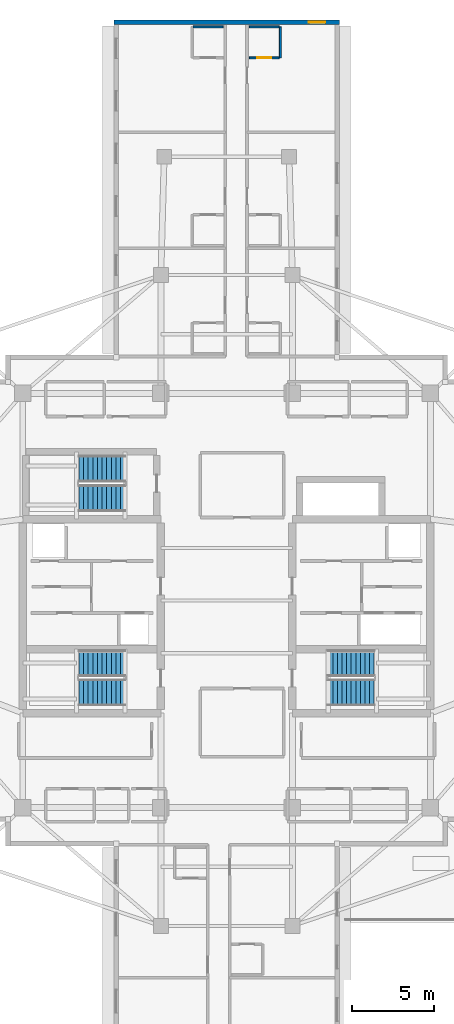
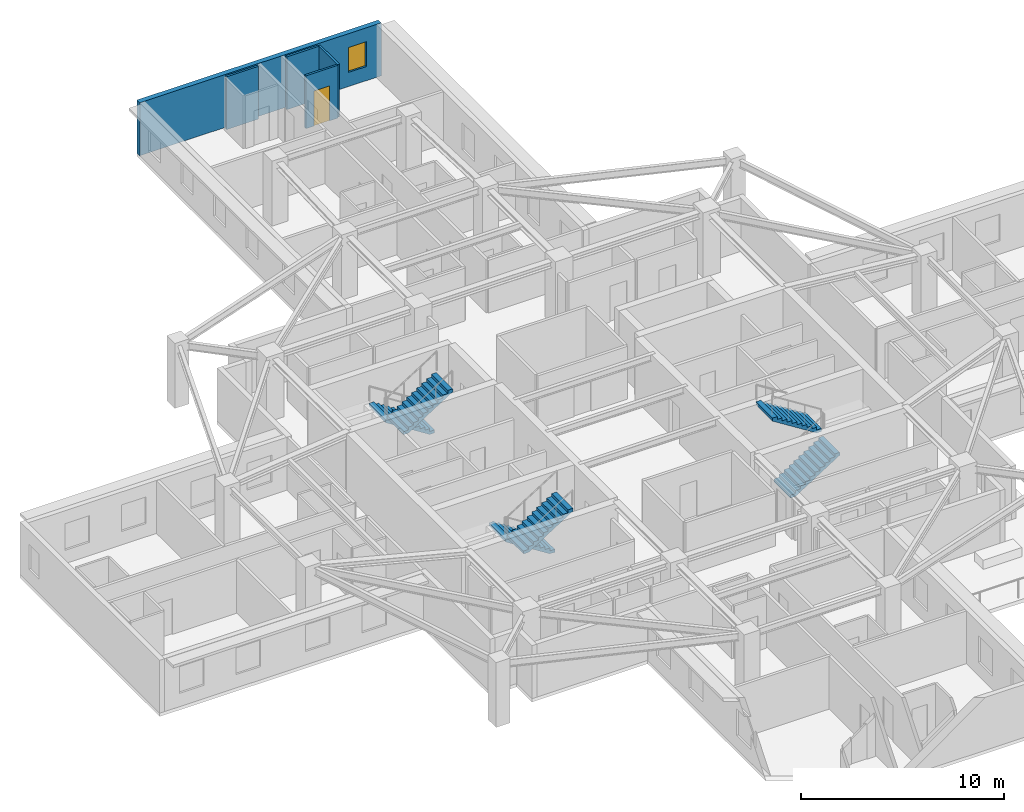
# One storey, part 9 of 13: 6 stair flights, 5 walls, 1 door, 1 window, 2 openings, 3 elements without a shape of their own.
"""IFC4 building model written with IfcOpenShell, lengths in metres."""

from ifc_helpers import new_model, si_unit, direction, frame, frame_2d, origin, place, context, subcontext, project, spatial, polyline, rectangle, outline, extrude, material, layer, layer_set, type_object, element, fill, aggregate, save


model = new_model("IFC4")

# Units and contexts
model_context = context("Model", 3, precision=1e-05, world=origin(), true_north=direction((0.0, 1.0)))
body_context = subcontext(model_context, "Body", "Model", "MODEL_VIEW")
ifc_project = project(units=[si_unit("LENGTHUNIT", "METRE"), si_unit("AREAUNIT", "SQUARE_METRE"), si_unit("VOLUMEUNIT", "CUBIC_METRE"), si_unit("PLANEANGLEUNIT", "RADIAN"), si_unit("MASSUNIT", "GRAM", prefix="KILO")], contexts=[model_context])

# Site, building, storey
site_placement = place(None, origin())
site = spatial("IfcSite", under=ifc_project, at=site_placement, CompositionType="ELEMENT")
building_placement = place(site_placement, origin())
building = spatial("IfcBuilding", under=site, at=building_placement, Name="Qingluan Cross Belvedere", CompositionType="ELEMENT")
storey_placement = place(building_placement, frame((0.0, 0.0, 224.699951171875)))
storey = spatial("IfcBuildingStorey", under=building, at=storey_placement, Name="L56", CompositionType="ELEMENT", Elevation=224.699951171875)

# Wall, opening, door
ifc_material_1 = material(Name="Moisture-resistant gypsum board lining")
ifc_layer_1 = layer(ifc_material_1, 0.1201171875, Name="EnsuiteWetPartition_120")
ifc_layer_set_1 = layer_set([ifc_layer_1], Name="Moisture-resistant gypsum board lining")
wall_type_1 = type_object("IfcWallType", Name="EnsuiteWetPartition_120", PredefinedType="PARTITIONING", material=ifc_layer_set_1)
wall_1_placement = place(storey_placement, frame((1.3798828125, 33.02001953125, 0.0), z_axis=(0.0, 0.0, 1.0), x_axis=(1.0, 0.0, 0.0)))
wall_1 = element("IfcWall", 1, at=wall_1_placement, inside=storey, type_object=wall_type_1, Name="Partition L56:N:bs0_2", PredefinedType="PARTITIONING", context=body_context, shape_type="SweptSolid", body=[
    extrude(rectangle(XDim=1.820068359375, YDim=0.1201171875, at=frame_2d((0.91015625, 0.0))), origin(), (0.0, 0.0, 1.0), 3.170166015625),
])
opening_1_placement = place(wall_1_placement, frame((0.469970703125, 0.0, 0.0)))
opening_1 = element("IfcOpeningElement", 2, at=opening_1_placement, cuts=wall_1, Name="Opening BD-09", PredefinedType="OPENING", context=body_context, shape_type="SweptSolid", body=[
    extrude(rectangle(XDim=0.8798828125, YDim=2.10009765625, at=frame_2d((0.43994140625, 1.050048828125))), frame((0.0, 0.070068359375, 0.0), z_axis=(0.0, -1.0, 0.0), x_axis=(1.0, 0.0, 0.0)), (0.0, 0.0, 1.0), 0.14013671875),
])
ifc_material_2 = material(Name="Moisture-sealed timber en-suite door", Category="wood")
door_type = type_object("IfcDoorType", Name="BathroomDoor_880", OperationType="NOTDEFINED", PredefinedType="DOOR", material=ifc_material_2)
door_placement = place(opening_1_placement, origin())
door = element("IfcDoor", 3, at=door_placement, inside=storey, type_object=door_type, Name="Bathroom door 5611", OperationType="SINGLE_SWING_RIGHT", OverallHeight=2.10009765625, OverallWidth=0.8798828125, PredefinedType="DOOR", context=body_context, shape_type="SweptSolid", body=[
    extrude(rectangle(XDim=0.8798828125, YDim=2.10009765625, at=frame_2d((0.43994140625, 1.050048828125))), frame((0.0, 0.02490234375, 0.0), z_axis=(0.0, -1.0, 0.0), x_axis=(1.0, 0.0, 0.0)), (0.0, 0.0, 1.0), 0.050048828125),
])
fill(opening_1, door)

# Walls
wall_2_placement = place(storey_placement, frame((1.3798828125, 34.89990234375, 0.0), z_axis=(0.0, 0.0, 1.0), x_axis=(1.0, 0.0, 0.0)))
element("IfcWall", 4, at=wall_2_placement, inside=storey, type_object=wall_type_1, Name="Partition L56:N:bw0_2", PredefinedType="PARTITIONING", context=body_context, shape_type="SweptSolid", body=[
    extrude(rectangle(XDim=1.820068359375, YDim=0.1201171875, at=frame_2d((0.91015625, 0.0))), origin(), (0.0, 0.0, 1.0), 3.170166015625),
])
wall_3_placement = place(storey_placement, frame((3.264892578125, 33.02001953125, 0.0), z_axis=(0.0, 0.0, 1.0), x_axis=(0.0, 1.0, 0.0)))
element("IfcWall", 5, at=wall_3_placement, inside=storey, type_object=wall_type_1, Name="Partition L56:N:bn0_2", PredefinedType="PARTITIONING", context=body_context, shape_type="SweptSolid", body=[
    extrude(rectangle(XDim=1.8798828125, YDim=0.1201171875, at=frame_2d((0.93994140625, 0.0))), origin(), (0.0, 0.0, 1.0), 3.170166015625),
])
wall_4_placement = place(storey_placement, frame((-2.0400390625, 34.89990234375, 0.0), z_axis=(0.0, 0.0, 1.0), x_axis=(1.0, 0.0, 0.0)))
element("IfcWall", 6, at=wall_4_placement, inside=storey, type_object=wall_type_1, Name="Partition L56:N:bw1_2", PredefinedType="PARTITIONING", context=body_context, shape_type="SweptSolid", body=[
    extrude(rectangle(XDim=1.820068359375, YDim=0.1201171875, at=frame_2d((0.91015625, 0.0))), origin(), (0.0, 0.0, 1.0), 3.170166015625),
])

# Wall, opening, window
ifc_material_3 = material(Name="Precast concrete C45", Category="concrete")
ifc_layer_2 = layer(ifc_material_3, 0.280029296875, Name="PrecastFacadeWall_280")
ifc_layer_set_2 = layer_set([ifc_layer_2], Name="Precast concrete C45")
wall_type_2 = type_object("IfcWallType", Name="PrecastFacadeWall_280", PredefinedType="STANDARD", material=ifc_layer_set_2)
wall_5_placement = place(storey_placement, frame((6.860107421875, 35.179931640625, 0.0), z_axis=(0.0, 0.0, 1.0), x_axis=(-1.0, 0.0, 0.0)))
wall_5 = element("IfcWall", 7, at=wall_5_placement, inside=storey, type_object=wall_type_2, Name="Arm tip precast facade wall L56-N", PredefinedType="STANDARD", context=body_context, shape_type="SweptSolid", body=[
    extrude(rectangle(XDim=13.72021484375, YDim=0.280029296875, at=frame_2d((6.860107421875, 0.0))), origin(), (0.0, 0.0, 1.0), 3.179931640625),
])
opening_2_placement = place(wall_5_placement, frame((0.85009765625, 0.0, 0.85009765625)))
opening_2 = element("IfcOpeningElement", 8, at=opening_2_placement, cuts=wall_5, Name="Opening W-03", PredefinedType="OPENING", context=body_context, shape_type="SweptSolid", body=[
    extrude(rectangle(XDim=1.0, YDim=1.5, at=frame_2d((0.5, 0.75))), frame((0.0, 0.14990234375, 0.0), z_axis=(0.0, -1.0, 0.0), x_axis=(1.0, 0.0, 0.0)), (0.0, 0.0, 1.0), 0.300048828125),
])
ifc_material_4 = material(Name="Thermally broken triple Low-E glass in aluminium frame", Category="aluminium")
window_type = type_object("IfcWindowType", Name="TriApexWin_1000x1500", PartitioningType="SINGLE_PANEL", PredefinedType="WINDOW", material=ifc_material_4)
window_placement = place(opening_2_placement, origin())
window = element("IfcWindow", 9, at=window_placement, inside=storey, type_object=window_type, Name="Arm tip triangular window L56-N", OverallHeight=1.5, OverallWidth=1.0, PartitioningType="SINGLE_PANEL", PredefinedType="WINDOW", context=body_context, shape_type="SweptSolid", body=[
    extrude(rectangle(XDim=1.0, YDim=1.5, at=frame_2d((0.5, 0.75))), frame((0.0, 0.030029296875, 0.0), z_axis=(0.0, -1.0, 0.0), x_axis=(1.0, 0.0, 0.0)), (0.0, 0.0, 1.0), 0.06005859375),
])
fill(opening_2, window)

# Stair, stair flights
ifc_material_5 = material(Name="Concrete C40", Category="concrete")
stair_type = type_object("IfcStairType", Name="CoreDoglegStair_1620", PredefinedType="HALF_TURN_STAIR", material=ifc_material_5)
stair_1_placement = place(storey_placement, origin())
stair_1 = element("IfcStair", 10, at=stair_1_placement, inside=storey, type_object=stair_type, Name="L56 ST1", PredefinedType="HALF_TURN_STAIR")
ifc_material_6 = material(Name="Concrete C40", Category="concrete")
ifc_layer_3 = layer(ifc_material_6, 0.179931640625, Name="StairFlight_RC180")
ifc_layer_set_3 = layer_set([ifc_layer_3], Name="Concrete C40")
stair_flight_type = type_object("IfcStairFlightType", Name="StairFlight_RC180", PredefinedType="STRAIGHT", material=ifc_layer_set_3)
stair_flight_1_placement = place(storey_placement, frame((-6.179931640625, -3.81005859375, 0.0), z_axis=(0.0, 0.0, 1.0), x_axis=(-1.0, 0.0, 0.0)))
stair_flight_1 = element("IfcStairFlight", 11, at=stair_flight_1_placement, type_object=stair_flight_type, Name="ST1 flight 1", NumberOfRisers=11, NumberOfTreads=10, PredefinedType="STRAIGHT", RiserHeight=0.177272727, TreadLength=0.28, context=body_context, shape_type="SweptSolid", body=[
    extrude(outline(polyline([(0.0, 0.0), (0.0, 0.17724609375), (0.280029296875, 0.17724609375), (0.280029296875, 0.3544921875), (0.56005859375, 0.3544921875), (0.56005859375, 0.53173828125), (0.840087890625, 0.53173828125), (0.840087890625, 0.708984375), (1.1201171875, 0.708984375), (1.1201171875, 0.886474609375), (1.39990234375, 0.886474609375), (1.39990234375, 1.063720703125), (1.679931640625, 1.063720703125), (1.679931640625, 1.240966796875), (1.9599609375, 1.240966796875), (1.9599609375, 1.418212890625), (2.239990234375, 1.418212890625), (2.239990234375, 1.595458984375), (2.52001953125, 1.595458984375), (2.52001953125, 1.772705078125), (2.800048828125, 1.772705078125), (2.800048828125, 1.949951171875), (2.800048828125, 1.59521484375), (0.2802734375, 0.0), (0.0, 0.0)])), frame((0.0, 0.81005859375, 0.0), z_axis=(0.0, -1.0, 0.0), x_axis=(1.0, 0.0, 0.0)), (0.0, 0.0, 1.0), 1.6201171875),
])
stair_flight_2_placement = place(storey_placement, frame((-8.97998046875, -5.590087890625, 1.949951171875), z_axis=(0.0, 0.0, 1.0), x_axis=(1.0, 0.0, 0.0)))
stair_flight_2 = element("IfcStairFlight", 12, at=stair_flight_2_placement, type_object=stair_flight_type, Name="ST1 flight 2", NumberOfRisers=11, NumberOfTreads=10, PredefinedType="STRAIGHT", RiserHeight=0.177272727, TreadLength=0.28, context=body_context, shape_type="SweptSolid", body=[
    extrude(outline(polyline([(0.0, 0.0), (0.0, 0.17724609375), (0.280029296875, 0.17724609375), (0.280029296875, 0.3544921875), (0.56005859375, 0.3544921875), (0.56005859375, 0.53173828125), (0.840087890625, 0.53173828125), (0.840087890625, 0.708984375), (1.1201171875, 0.708984375), (1.1201171875, 0.886474609375), (1.39990234375, 0.886474609375), (1.39990234375, 1.063720703125), (1.679931640625, 1.063720703125), (1.679931640625, 1.240966796875), (1.9599609375, 1.240966796875), (1.9599609375, 1.418212890625), (2.239990234375, 1.418212890625), (2.239990234375, 1.595458984375), (2.52001953125, 1.595458984375), (2.52001953125, 1.772705078125), (2.800048828125, 1.772705078125), (2.800048828125, 1.949951171875), (2.800048828125, 1.59521484375), (0.2802734375, 0.0), (0.0, 0.0)])), frame((0.0, 0.81005859375, 0.0), z_axis=(0.0, -1.0, 0.0), x_axis=(1.0, 0.0, 0.0)), (0.0, 0.0, 1.0), 1.6201171875),
])
aggregate(stair_1, [stair_flight_1, stair_flight_2])

stair_2_placement = place(storey_placement, origin())
stair_2 = element("IfcStair", 13, at=stair_2_placement, inside=storey, type_object=stair_type, Name="L56 ST2", PredefinedType="HALF_TURN_STAIR")
stair_flight_3_placement = place(storey_placement, frame((6.179931640625, -5.590087890625, 0.0), z_axis=(0.0, 0.0, 1.0), x_axis=(1.0, 0.0, 0.0)))
stair_flight_3 = element("IfcStairFlight", 14, at=stair_flight_3_placement, type_object=stair_flight_type, Name="ST2 flight 1", NumberOfRisers=11, NumberOfTreads=10, PredefinedType="STRAIGHT", RiserHeight=0.177272727, TreadLength=0.28, context=body_context, shape_type="SweptSolid", body=[
    extrude(outline(polyline([(0.0, 0.0), (0.0, 0.17724609375), (0.280029296875, 0.17724609375), (0.280029296875, 0.3544921875), (0.56005859375, 0.3544921875), (0.56005859375, 0.53173828125), (0.840087890625, 0.53173828125), (0.840087890625, 0.708984375), (1.1201171875, 0.708984375), (1.1201171875, 0.886474609375), (1.39990234375, 0.886474609375), (1.39990234375, 1.063720703125), (1.679931640625, 1.063720703125), (1.679931640625, 1.240966796875), (1.9599609375, 1.240966796875), (1.9599609375, 1.418212890625), (2.239990234375, 1.418212890625), (2.239990234375, 1.595458984375), (2.52001953125, 1.595458984375), (2.52001953125, 1.772705078125), (2.800048828125, 1.772705078125), (2.800048828125, 1.949951171875), (2.800048828125, 1.59521484375), (0.2802734375, 0.0), (0.0, 0.0)])), frame((0.0, 0.81005859375, 0.0), z_axis=(0.0, -1.0, 0.0), x_axis=(1.0, 0.0, 0.0)), (0.0, 0.0, 1.0), 1.6201171875),
])
stair_flight_4_placement = place(storey_placement, frame((8.97998046875, -3.81005859375, 1.949951171875), z_axis=(0.0, 0.0, 1.0), x_axis=(-1.0, 0.0, 0.0)))
stair_flight_4 = element("IfcStairFlight", 15, at=stair_flight_4_placement, type_object=stair_flight_type, Name="ST2 flight 2", NumberOfRisers=11, NumberOfTreads=10, PredefinedType="STRAIGHT", RiserHeight=0.177272727, TreadLength=0.28, context=body_context, shape_type="SweptSolid", body=[
    extrude(outline(polyline([(0.0, 0.0), (0.0, 0.17724609375), (0.280029296875, 0.17724609375), (0.280029296875, 0.3544921875), (0.56005859375, 0.3544921875), (0.56005859375, 0.53173828125), (0.840087890625, 0.53173828125), (0.840087890625, 0.708984375), (1.1201171875, 0.708984375), (1.1201171875, 0.886474609375), (1.39990234375, 0.886474609375), (1.39990234375, 1.063720703125), (1.679931640625, 1.063720703125), (1.679931640625, 1.240966796875), (1.9599609375, 1.240966796875), (1.9599609375, 1.418212890625), (2.239990234375, 1.418212890625), (2.239990234375, 1.595458984375), (2.52001953125, 1.595458984375), (2.52001953125, 1.772705078125), (2.800048828125, 1.772705078125), (2.800048828125, 1.949951171875), (2.800048828125, 1.59521484375), (0.2802734375, 0.0), (0.0, 0.0)])), frame((0.0, 0.81005859375, 0.0), z_axis=(0.0, -1.0, 0.0), x_axis=(1.0, 0.0, 0.0)), (0.0, 0.0, 1.0), 1.6201171875),
])
aggregate(stair_2, [stair_flight_3, stair_flight_4])

stair_3_placement = place(storey_placement, origin())
stair_3 = element("IfcStair", 16, at=stair_3_placement, inside=storey, type_object=stair_type, Name="L56 ST3", PredefinedType="HALF_TURN_STAIR")
stair_flight_5_placement = place(storey_placement, frame((-6.179931640625, 8.010009765625, 0.0), z_axis=(0.0, 0.0, 1.0), x_axis=(-1.0, 0.0, 0.0)))
stair_flight_5 = element("IfcStairFlight", 17, at=stair_flight_5_placement, type_object=stair_flight_type, Name="ST3 flight 1", NumberOfRisers=11, NumberOfTreads=10, PredefinedType="STRAIGHT", RiserHeight=0.177272727, TreadLength=0.28, context=body_context, shape_type="SweptSolid", body=[
    extrude(outline(polyline([(0.0, 0.0), (0.0, 0.17724609375), (0.280029296875, 0.17724609375), (0.280029296875, 0.3544921875), (0.56005859375, 0.3544921875), (0.56005859375, 0.53173828125), (0.840087890625, 0.53173828125), (0.840087890625, 0.708984375), (1.1201171875, 0.708984375), (1.1201171875, 0.886474609375), (1.39990234375, 0.886474609375), (1.39990234375, 1.063720703125), (1.679931640625, 1.063720703125), (1.679931640625, 1.240966796875), (1.9599609375, 1.240966796875), (1.9599609375, 1.418212890625), (2.239990234375, 1.418212890625), (2.239990234375, 1.595458984375), (2.52001953125, 1.595458984375), (2.52001953125, 1.772705078125), (2.800048828125, 1.772705078125), (2.800048828125, 1.949951171875), (2.800048828125, 1.59521484375), (0.2802734375, 0.0), (0.0, 0.0)])), frame((0.0, 0.81005859375, 0.0), z_axis=(0.0, -1.0, 0.0), x_axis=(1.0, 0.0, 0.0)), (0.0, 0.0, 1.0), 1.6201171875),
])
stair_flight_6_placement = place(storey_placement, frame((-8.97998046875, 6.22998046875, 1.949951171875), z_axis=(0.0, 0.0, 1.0), x_axis=(1.0, 0.0, 0.0)))
stair_flight_6 = element("IfcStairFlight", 18, at=stair_flight_6_placement, type_object=stair_flight_type, Name="ST3 flight 2", NumberOfRisers=11, NumberOfTreads=10, PredefinedType="STRAIGHT", RiserHeight=0.177272727, TreadLength=0.28, context=body_context, shape_type="SweptSolid", body=[
    extrude(outline(polyline([(0.0, 0.0), (0.0, 0.17724609375), (0.280029296875, 0.17724609375), (0.280029296875, 0.3544921875), (0.56005859375, 0.3544921875), (0.56005859375, 0.53173828125), (0.840087890625, 0.53173828125), (0.840087890625, 0.708984375), (1.1201171875, 0.708984375), (1.1201171875, 0.886474609375), (1.39990234375, 0.886474609375), (1.39990234375, 1.063720703125), (1.679931640625, 1.063720703125), (1.679931640625, 1.240966796875), (1.9599609375, 1.240966796875), (1.9599609375, 1.418212890625), (2.239990234375, 1.418212890625), (2.239990234375, 1.595458984375), (2.52001953125, 1.595458984375), (2.52001953125, 1.772705078125), (2.800048828125, 1.772705078125), (2.800048828125, 1.949951171875), (2.800048828125, 1.59521484375), (0.2802734375, 0.0), (0.0, 0.0)])), frame((0.0, 0.81005859375, 0.0), z_axis=(0.0, -1.0, 0.0), x_axis=(1.0, 0.0, 0.0)), (0.0, 0.0, 1.0), 1.6201171875),
])
aggregate(stair_3, [stair_flight_5, stair_flight_6])

save(model, "model.ifc")
